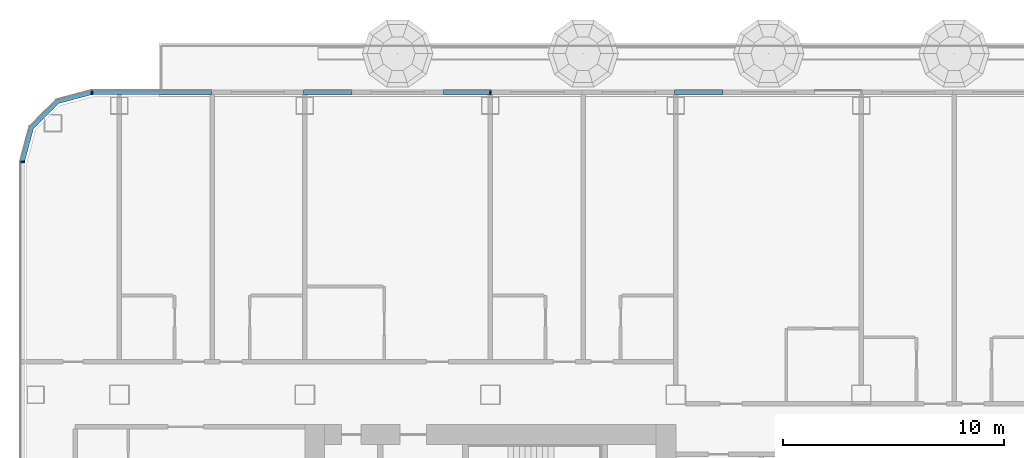
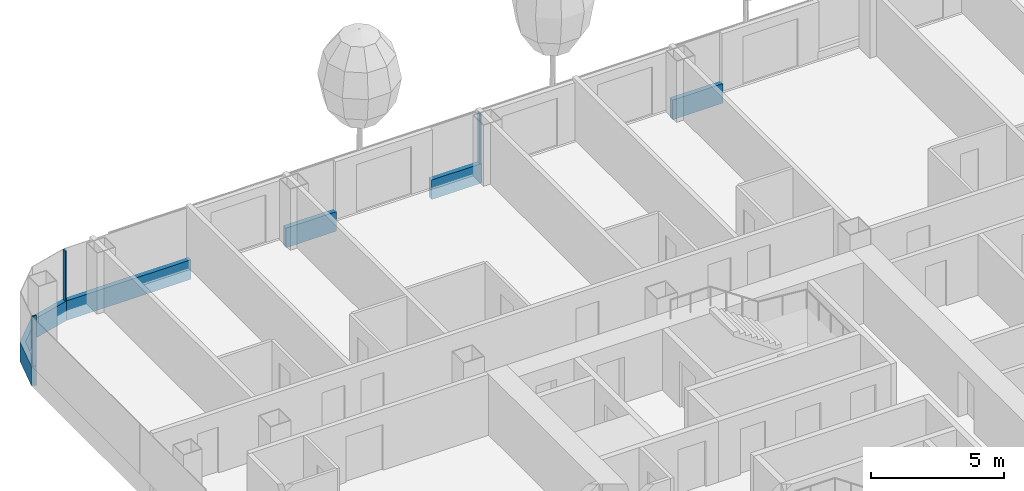
# One storey, part 5 of 33: 8 members, 3 elements without a shape of their own.
"""IFC4 building model written with IfcOpenShell, lengths in metres."""

from ifc_helpers import new_model, si_unit, direction, frame, origin, origin_2d, place, context, subcontext, project, spatial, polyline, rectangle, outline, extrude, material, layer, layer_set, material_profile, profile_set, type_object, element, aggregate, save


model = new_model("IFC4")

# Units and contexts
model_context = context("Model", 3, precision=1e-05, world=origin(), true_north=direction((0.0, 1.0)))
body_context = subcontext(model_context, "Body", "Model", "MODEL_VIEW")
ifc_project = project(units=[si_unit("LENGTHUNIT", "METRE"), si_unit("AREAUNIT", "SQUARE_METRE"), si_unit("VOLUMEUNIT", "CUBIC_METRE"), si_unit("PLANEANGLEUNIT", "RADIAN"), si_unit("MASSUNIT", "GRAM", prefix="KILO")], contexts=[model_context])

# Site, building, storey
site_placement = place(None, origin())
site = spatial("IfcSite", under=ifc_project, at=site_placement, CompositionType="ELEMENT")
building_placement = place(site_placement, origin())
building = spatial("IfcBuilding", under=site, at=building_placement, Name="Hakoniwa Tower and Hamabe Station Hall", CompositionType="ELEMENT")
storey_placement = place(building_placement, frame((0.0, 0.0, 81.800048828125)))
storey = spatial("IfcBuildingStorey", under=building, at=storey_placement, Name="L22", CompositionType="ELEMENT", Elevation=81.800048828125)

# Curtain wall, members
ifc_material_1 = material(Name="Dark low-e laminated glass", Category="glass")
ifc_layer = layer(ifc_material_1, 0.199951171875)
ifc_layer_set = layer_set([ifc_layer], Name="CW-1 UNITISED GUEST")
curtain_wall_type = type_object("IfcCurtainWallType", Name="CW-1 UNITISED GUEST", PredefinedType="NOTDEFINED", material=ifc_layer_set)
curtain_wall_1_placement = place(storey_placement, origin())
curtain_wall_1 = element("IfcCurtainWall", 1, at=curtain_wall_1_placement, inside=storey, type_object=curtain_wall_type, Name="CW-1 curtain wall", PredefinedType="NOTDEFINED")
ifc_material_2 = material(Name="Aluminium 6063-T5 black anodised", Category="aluminium")
ifc_material_profile_1 = material_profile(ifc_material_2, rectangle(XDim=0.199951171875, YDim=0.89990234375, at=origin_2d()), Name="CW SLAB-EDGE BAND 900X200")
ifc_profile_set_1 = profile_set([ifc_material_profile_1], Name="Aluminium 6063-T5 black anodised")
member_type_1 = type_object("IfcMemberType", Name="CW SLAB-EDGE BAND 900X200", PredefinedType="USERDEFINED", material=ifc_profile_set_1)
member_1_placement = place(storey_placement, frame((-14.669921875, 23.449951171875, -0.10009765625), z_axis=(-1.0, 0.0, 0.0), x_axis=(0.0, -1.0, 0.0)))
member_1 = element("IfcMember", 2, at=member_1_placement, type_object=member_type_1, Name="CW-1 transom", ObjectType="TRANSOM", PredefinedType="USERDEFINED", context=body_context, shape_type="SweptSolid", body=[
    extrude(rectangle(XDim=0.199951171875, YDim=0.89990234375, at=origin_2d()), origin(), (0.0, 0.0, 1.0), 2.190185546875),
])
member_2_placement = place(storey_placement, frame((-25.139892578125, 23.449951171875, -0.10009765625), z_axis=(-1.0, 0.0, 0.0), x_axis=(0.0, -1.0, 0.0)))
member_2 = element("IfcMember", 3, at=member_2_placement, type_object=member_type_1, Name="CW-1 transom", ObjectType="TRANSOM", PredefinedType="USERDEFINED", context=body_context, shape_type="SweptSolid", body=[
    extrude(rectangle(XDim=0.199951171875, YDim=0.89990234375, at=origin_2d()), origin(), (0.0, 0.0, 1.0), 2.190185546875),
])
member_3_placement = place(storey_placement, frame((-31.469970703125, 23.449951171875, -0.10009765625), z_axis=(-1.0, 0.0, 0.0), x_axis=(0.0, -1.0, 0.0)))
member_3 = element("IfcMember", 4, at=member_3_placement, type_object=member_type_1, Name="CW-1 transom", ObjectType="TRANSOM", PredefinedType="USERDEFINED", context=body_context, shape_type="SweptSolid", body=[
    extrude(rectangle(XDim=0.199951171875, YDim=0.89990234375, at=origin_2d()), origin(), (0.0, 0.0, 1.0), 2.18994140625),
])
member_4_placement = place(storey_placement, frame((-37.800048828125, 23.449951171875, -0.10009765625), z_axis=(-1.0, 0.0, 0.0), x_axis=(0.0, -1.0, 0.0)))
member_4 = element("IfcMember", 5, at=member_4_placement, type_object=member_type_1, Name="CW-1 transom", ObjectType="TRANSOM", PredefinedType="USERDEFINED", context=body_context, shape_type="SweptSolid", body=[
    extrude(rectangle(XDim=0.199951171875, YDim=0.89990234375, at=origin_2d()), origin(), (0.0, 0.0, 1.0), 5.439453125),
])

# Curtain wall, member
curtain_wall_2_placement = place(storey_placement, origin())
curtain_wall_2 = element("IfcCurtainWall", 6, at=curtain_wall_2_placement, inside=storey, type_object=curtain_wall_type, Name="CW-1 curtain wall", PredefinedType="NOTDEFINED")
member_5_placement = place(storey_placement, frame((0.0, 0.0, -0.550048828125)))
member_5 = element("IfcMember", 7, at=member_5_placement, type_object=member_type_1, Name="CW-1 transom", ObjectType="TRANSOM", PredefinedType="USERDEFINED", context=body_context, shape_type="SweptSolid", body=[
    extrude(outline(polyline([(-43.239501953125, 23.550048828125), (-44.855224609375, 23.116943359375), (-46.067138671875, 21.9052734375), (-46.5, 20.28955078125), (-46.306884765625, 20.23779296875), (-45.8876953125, 21.8017578125), (-44.751708984375, 22.937744140625), (-43.187744140625, 23.35693359375), (-43.239501953125, 23.550048828125)])), origin(), (0.0, 0.0, 1.0), 0.89990234375),
])
aggregate(curtain_wall_2, [member_5])

# Member
ifc_material_3 = material(Name="Aluminium 6063-T5 black anodised", Category="aluminium")
ifc_material_profile_2 = material_profile(ifc_material_3, rectangle(XDim=0.06005859375, YDim=0.179931640625, at=origin_2d()), Name="CW-1 MULLION 60X180")
ifc_profile_set_2 = profile_set([ifc_material_profile_2], Name="Aluminium 6063-T5 black anodised")
member_type_2 = type_object("IfcMemberType", Name="CW-1 MULLION 60X180", PredefinedType="MULLION", material=ifc_profile_set_2)
member_6_placement = place(storey_placement, frame((-25.199951171875, 23.431884765625, 0.349853515625), z_axis=(0.0, 0.0, 1.0), x_axis=(-1.0, 0.0, 0.0)))
member_6 = element("IfcMember", 8, at=member_6_placement, type_object=member_type_2, Name="CW-1 mullion", PredefinedType="MULLION", context=body_context, shape_type="SweptSolid", body=[
    extrude(rectangle(XDim=0.06005859375, YDim=0.179931640625, at=origin_2d()), origin(), (0.0, 0.0, 1.0), 2.300048828125),
])

member_7_placement = place(storey_placement, frame((-43.239501953125, 23.431884765625, 0.349853515625), z_axis=(0.0, 0.0, 1.0), x_axis=(-1.0, 0.0, 0.0)))
member_7 = element("IfcMember", 9, at=member_7_placement, type_object=member_type_2, Name="CW-1 mullion", PredefinedType="MULLION", context=body_context, shape_type="SweptSolid", body=[
    extrude(rectangle(XDim=0.06005859375, YDim=0.179931640625, at=origin_2d()), origin(), (0.0, 0.0, 1.0), 2.300048828125),
])

aggregate(curtain_wall_1, [member_6, member_7, member_1, member_2, member_3, member_4])

# Curtain wall, member
curtain_wall_3_placement = place(storey_placement, origin())
curtain_wall_3 = element("IfcCurtainWall", 10, at=curtain_wall_3_placement, inside=storey, type_object=curtain_wall_type, Name="CW-1 curtain wall", PredefinedType="NOTDEFINED")
member_8_placement = place(storey_placement, frame((-46.382080078125, 20.28955078125, 0.349853515625), z_axis=(0.0, 0.0, 1.0), x_axis=(0.0, -1.0, 0.0)))
member_8 = element("IfcMember", 11, at=member_8_placement, type_object=member_type_2, Name="CW-1 mullion", PredefinedType="MULLION", context=body_context, shape_type="SweptSolid", body=[
    extrude(rectangle(XDim=0.06005859375, YDim=0.179931640625, at=origin_2d()), origin(), (0.0, 0.0, 1.0), 2.300048828125),
])
aggregate(curtain_wall_3, [member_8])

save(model, "model.ifc")
